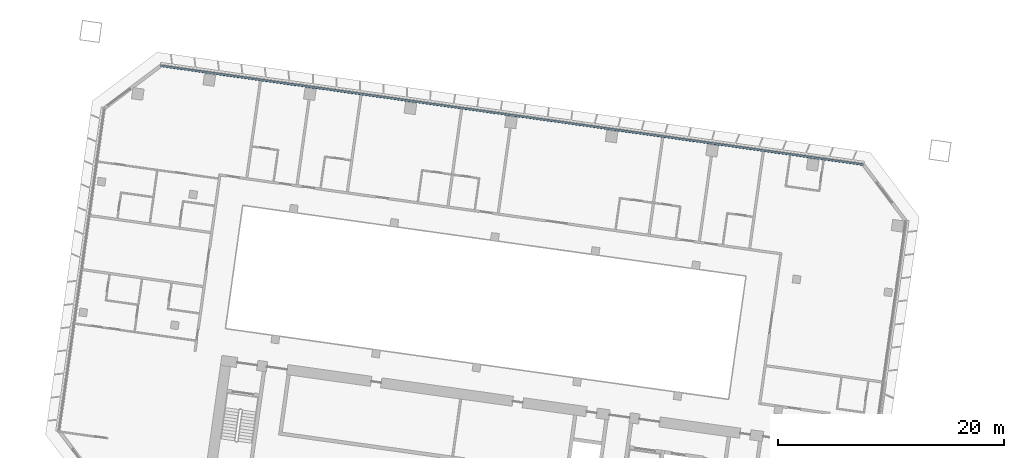
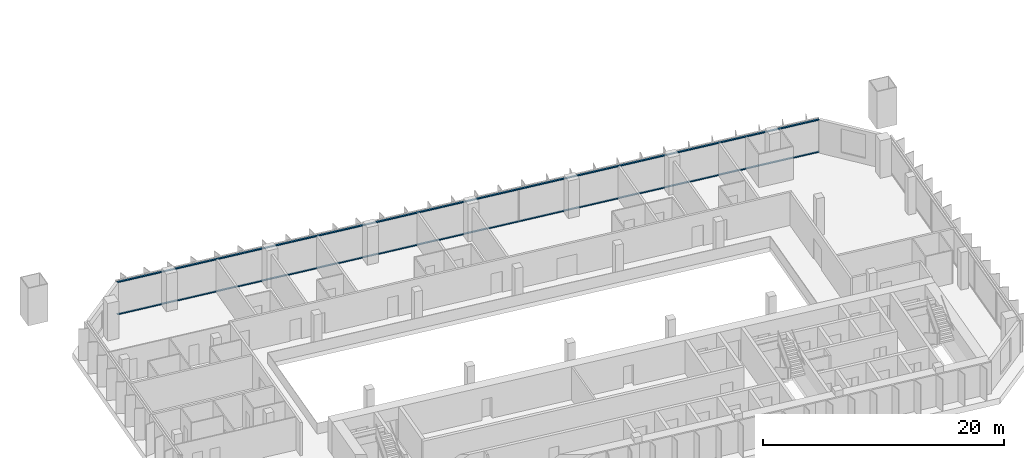
# One storey, part 4 of 24: 2 members, 1 element without a shape of its own.
"""IFC4 building model written with IfcOpenShell, lengths in metres."""

from ifc_helpers import new_model, si_unit, direction, frame, origin, origin_2d, place, context, subcontext, project, spatial, rectangle, extrude, material, material_profile, profile_set, type_object, element, aggregate, save


model = new_model("IFC4")

# Units and contexts
model_context = context("Model", 3, precision=1e-05, world=origin(), true_north=direction((0.0, 1.0)))
body_context = subcontext(model_context, "Body", "Model", "MODEL_VIEW")
ifc_project = project(units=[si_unit("LENGTHUNIT", "METRE"), si_unit("AREAUNIT", "SQUARE_METRE"), si_unit("VOLUMEUNIT", "CUBIC_METRE"), si_unit("PLANEANGLEUNIT", "RADIAN"), si_unit("MASSUNIT", "GRAM", prefix="KILO")], contexts=[model_context])

# Site, building, storey
site_placement = place(None, origin())
site = spatial("IfcSite", under=ifc_project, at=site_placement, CompositionType="ELEMENT")
building_placement = place(site_placement, origin())
building = spatial("IfcBuilding", under=site, at=building_placement, Name="Mirante Cascada Hotel Towers", CompositionType="ELEMENT")
storey_placement = place(building_placement, frame((0.0, 0.0, 81.3)))
storey = spatial("IfcBuildingStorey", under=building, at=storey_placement, Name="L17", CompositionType="ELEMENT", Elevation=81.3)

# Curtain wall, members
ifc_material_1 = material(Name="Aluminium mullion and transom frame with clear laminated glass", Category="aluminium")
curtain_wall_type = type_object("IfcCurtainWallType", Name="Ribbon curtain wall ECW1", PredefinedType="NOTDEFINED", material=ifc_material_1)
curtain_wall_placement = place(storey_placement, origin())
curtain_wall = element("IfcCurtainWall", 1, at=curtain_wall_placement, inside=storey, type_object=curtain_wall_type, Name="Front ribbon wall T1 L17", PredefinedType="NOTDEFINED")
ifc_material_2 = material(Name="Anodised aluminium extrusion", Category="aluminium")
ifc_material_profile = material_profile(ifc_material_2, rectangle(XDim=0.16, YDim=0.1, at=origin_2d()), Name="ECW1 TRANSOM 100x160")
ifc_profile_set = profile_set([ifc_material_profile], Name="Anodised aluminium extrusion")
member_type = type_object("IfcMemberType", Name="ECW1 transom 100x160", PredefinedType="USERDEFINED", material=ifc_profile_set)
member_1_placement = place(storey_placement, frame((-94.1582, 26.0521, 0.05), z_axis=(0.9902681, -0.1391728, 0.0), x_axis=(0.1391728, 0.9902681, 0.0)))
member_1 = element("IfcMember", 2, at=member_1_placement, type_object=member_type, Name="ECW1 sill transom", ObjectType="TRANSOM", PredefinedType="USERDEFINED", context=body_context, shape_type="SweptSolid", body=[
    extrude(rectangle(XDim=0.16, YDim=0.1, at=origin_2d()), origin(), (0.0, 0.0, 1.0), 62.8758),
])
member_2_placement = place(storey_placement, frame((-94.1582, 26.0521, 3.3), z_axis=(0.9902681, -0.1391728, 0.0), x_axis=(0.1391728, 0.9902681, 0.0)))
member_2 = element("IfcMember", 3, at=member_2_placement, type_object=member_type, Name="ECW1 head transom", ObjectType="TRANSOM", PredefinedType="USERDEFINED", context=body_context, shape_type="SweptSolid", body=[
    extrude(rectangle(XDim=0.16, YDim=0.1, at=origin_2d()), origin(), (0.0, 0.0, 1.0), 62.8758),
])
aggregate(curtain_wall, [member_1, member_2])

save(model, "model.ifc")
